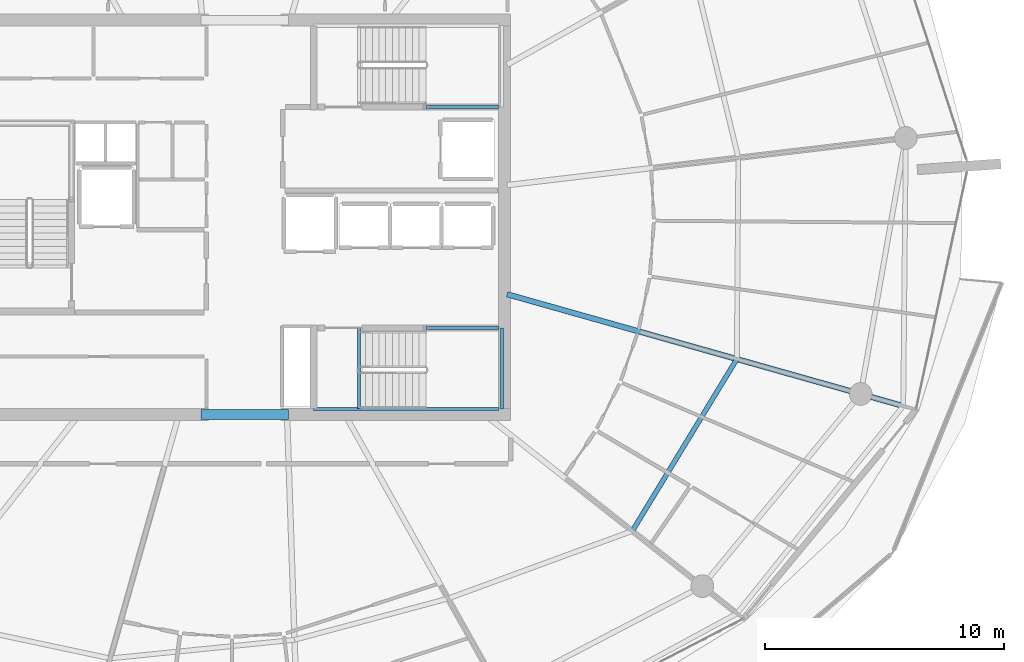
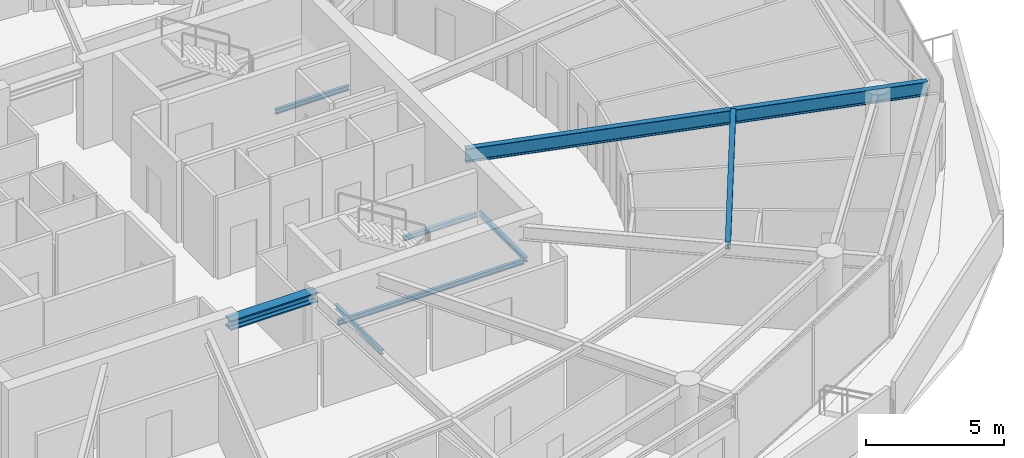
# One storey, part 9 of 29: 8 beams.
"""IFC4 building model written with IfcOpenShell, lengths in metres."""

from ifc_helpers import new_model, si_unit, direction, frame, origin, origin_2d, place, context, subcontext, project, spatial, i_section, extrude, material, material_profile, profile_set, type_object, element, save


model = new_model("IFC4")

# Units and contexts
model_context = context("Model", 3, precision=1e-05, world=origin(), true_north=direction((0.0, 1.0)))
body_context = subcontext(model_context, "Body", "Model", "MODEL_VIEW")
ifc_project = project(units=[si_unit("LENGTHUNIT", "METRE"), si_unit("AREAUNIT", "SQUARE_METRE"), si_unit("VOLUMEUNIT", "CUBIC_METRE"), si_unit("PLANEANGLEUNIT", "RADIAN"), si_unit("MASSUNIT", "GRAM", prefix="KILO")], contexts=[model_context])

# Site, building, storey
site_placement = place(None, origin())
site = spatial("IfcSite", under=ifc_project, at=site_placement, CompositionType="ELEMENT")
building_placement = place(site_placement, origin())
building = spatial("IfcBuilding", under=site, at=building_placement, Name="Kazma Halo Residences", CompositionType="ELEMENT")
storey_placement = place(building_placement, frame((0.0, 0.0, 286.75)))
storey = spatial("IfcBuildingStorey", under=building, at=storey_placement, Name="L72", CompositionType="ELEMENT", Elevation=286.75)

# Beams
ifc_material = material(Name="Steel S355", Category="steel")
ifc_material_profile_1 = material_profile(ifc_material, i_section(OverallWidth=0.408935546875, OverallDepth=0.425048828125, WebThickness=0.03271484375, FlangeThickness=0.052490234375, FilletRadius=0.02001953125, at=origin_2d()), Name="W360x421")
ifc_profile_set_1 = profile_set([ifc_material_profile_1], Name="Steel S355")
beam_type_1 = type_object("IfcBeamType", Name="BM-CORE-W360H", PredefinedType="BEAM", material=ifc_profile_set_1)
beam_1_placement = place(storey_placement, frame((46.60009765625, 33.75, 3.37744140625), z_axis=(1.0, 0.0, 0.0), x_axis=(0.0, 1.0, 0.0)))
element("IfcBeam", 1, at=beam_1_placement, inside=storey, type_object=beam_type_1, Name="L72 core coupling beam S", PredefinedType="BEAM", context=body_context, shape_type="SweptSolid", body=[
    extrude(i_section(OverallWidth=0.408935546875, OverallDepth=0.425048828125, WebThickness=0.03271484375, FlangeThickness=0.052490234375, FilletRadius=0.02001953125, at=origin_2d()), origin(), (0.0, 0.0, 1.0), 3.64990234375),
])
ifc_material_profile_2 = material_profile(ifc_material, i_section(OverallWidth=0.22802734375, OverallDepth=0.60791015625, WebThickness=0.01123046875, FlangeThickness=0.017333984375, FilletRadius=0.01806640625, at=origin_2d()), Name="W610x113")
ifc_profile_set_2 = profile_set([ifc_material_profile_2], Name="Steel S355")
beam_type_2 = type_object("IfcBeamType", Name="BM-RAD-W610", PredefinedType="BEAM", material=ifc_profile_set_2)
beam_2_placement = place(storey_placement, frame((59.39990234375, 38.784912109375, 3.285888671875), z_axis=(0.962452620609, -0.271449724781, 0.0), x_axis=(0.271449724781, 0.962452620609, 0.0)))
element("IfcBeam", 2, at=beam_2_placement, inside=storey, type_object=beam_type_2, Name="L72 radial floor beam 15", PredefinedType="BEAM", context=body_context, shape_type="SweptSolid", body=[
    extrude(i_section(OverallWidth=0.22802734375, OverallDepth=0.60791015625, WebThickness=0.01123046875, FlangeThickness=0.017333984375, FilletRadius=0.01806640625, at=origin_2d()), origin(), (0.0, 0.0, 1.0), 17.218017578125),
])
ifc_material_profile_3 = material_profile(ifc_material, i_section(OverallWidth=0.202880859375, OverallDepth=0.302978515625, WebThickness=0.007568359375, FlangeThickness=0.01318359375, FilletRadius=0.013916015625, at=origin_2d()), Name="W310x60")
ifc_profile_set_3 = profile_set([ifc_material_profile_3], Name="Steel S355")
beam_type_3 = type_object("IfcBeamType", Name="BM-SEC-W310A", PredefinedType="JOIST", material=ifc_profile_set_3)
beam_3_placement = place(storey_placement, frame((64.6396484375, 28.88232421875, 3.4384765625), z_axis=(0.519439801751, 0.854507046406, 0.0), x_axis=(-0.854507046406, 0.519439801751, 0.0)))
element("IfcBeam", 3, at=beam_3_placement, inside=storey, type_object=beam_type_3, Name="L72 circumferential floor joist 14", PredefinedType="JOIST", context=body_context, shape_type="SweptSolid", body=[
    extrude(i_section(OverallWidth=0.202880859375, OverallDepth=0.302978515625, WebThickness=0.007568359375, FlangeThickness=0.01318359375, FilletRadius=0.013916015625, at=origin_2d()), origin(), (0.0, 0.0, 1.0), 8.41650390625),
])
ifc_material_profile_4 = material_profile(ifc_material, i_section(OverallWidth=0.133056640625, OverallDepth=0.20703125, WebThickness=0.005859375, FlangeThickness=0.00830078125, FilletRadius=0.010009765625, at=origin_2d()), Name="W200x26.6")
ifc_profile_set_4 = profile_set([ifc_material_profile_4], Name="Steel S355")
beam_type_4 = type_object("IfcBeamType", Name="BM-TRIM-W200", PredefinedType="BEAM", material=ifc_profile_set_4)
beam_4_placement = place(storey_placement, frame((53.199951171875, 34.0, -0.3701171875), z_axis=(0.0, 1.0, 0.0), x_axis=(-1.0, 0.0, 0.0)))
element("IfcBeam", 4, at=beam_4_placement, inside=storey, type_object=beam_type_4, Name="L72 ST-03 floor landing support beam", PredefinedType="BEAM", context=body_context, shape_type="SweptSolid", body=[
    extrude(i_section(OverallWidth=0.133056640625, OverallDepth=0.20703125, WebThickness=0.005859375, FlangeThickness=0.00830078125, FilletRadius=0.010009765625, at=origin_2d()), origin(), (0.0, 0.0, 1.0), 3.3798828125),
])
beam_5_placement = place(storey_placement, frame((56.0, 46.6201171875, 1.6201171875), z_axis=(1.0, 0.0, 0.0), x_axis=(0.0, 1.0, 0.0)))
element("IfcBeam", 5, at=beam_5_placement, inside=storey, type_object=beam_type_4, Name="L72 ST-02 landing south wall ledger", PredefinedType="BEAM", context=body_context, shape_type="SweptSolid", body=[
    extrude(i_section(OverallWidth=0.133056640625, OverallDepth=0.20703125, WebThickness=0.005859375, FlangeThickness=0.00830078125, FilletRadius=0.010009765625, at=origin_2d()), origin(), (0.0, 0.0, 1.0), 3.070068359375),
])
beam_6_placement = place(storey_placement, frame((51.31005859375, 33.97998046875, 1.6201171875), z_axis=(1.0, 0.0, 0.0), x_axis=(0.0, 1.0, 0.0)))
element("IfcBeam", 6, at=beam_6_placement, inside=storey, type_object=beam_type_4, Name="L72 ST-03 landing south wall ledger", PredefinedType="BEAM", context=body_context, shape_type="SweptSolid", body=[
    extrude(i_section(OverallWidth=0.133056640625, OverallDepth=0.20703125, WebThickness=0.005859375, FlangeThickness=0.00830078125, FilletRadius=0.010009765625, at=origin_2d()), origin(), (0.0, 0.0, 1.0), 7.760009765625),
])
beam_7_placement = place(storey_placement, frame((56.0, 37.3798828125, 1.6201171875), z_axis=(1.0, 0.0, 0.0), x_axis=(0.0, 1.0, 0.0)))
element("IfcBeam", 7, at=beam_7_placement, inside=storey, type_object=beam_type_4, Name="L72 ST-03 landing north wall ledger", PredefinedType="BEAM", context=body_context, shape_type="SweptSolid", body=[
    extrude(i_section(OverallWidth=0.133056640625, OverallDepth=0.20703125, WebThickness=0.005859375, FlangeThickness=0.00830078125, FilletRadius=0.010009765625, at=origin_2d()), origin(), (0.0, 0.0, 1.0), 3.070068359375),
])
beam_8_placement = place(storey_placement, frame((59.18994140625, 33.97998046875, 1.6201171875), z_axis=(0.0, 1.0, 0.0), x_axis=(-1.0, 0.0, 0.0)))
element("IfcBeam", 8, at=beam_8_placement, inside=storey, type_object=beam_type_4, Name="L72 ST-03 landing end wall ledger", PredefinedType="BEAM", context=body_context, shape_type="SweptSolid", body=[
    extrude(i_section(OverallWidth=0.133056640625, OverallDepth=0.20703125, WebThickness=0.005859375, FlangeThickness=0.00830078125, FilletRadius=0.010009765625, at=origin_2d()), origin(), (0.0, 0.0, 1.0), 3.39990234375),
])

save(model, "model.ifc")
